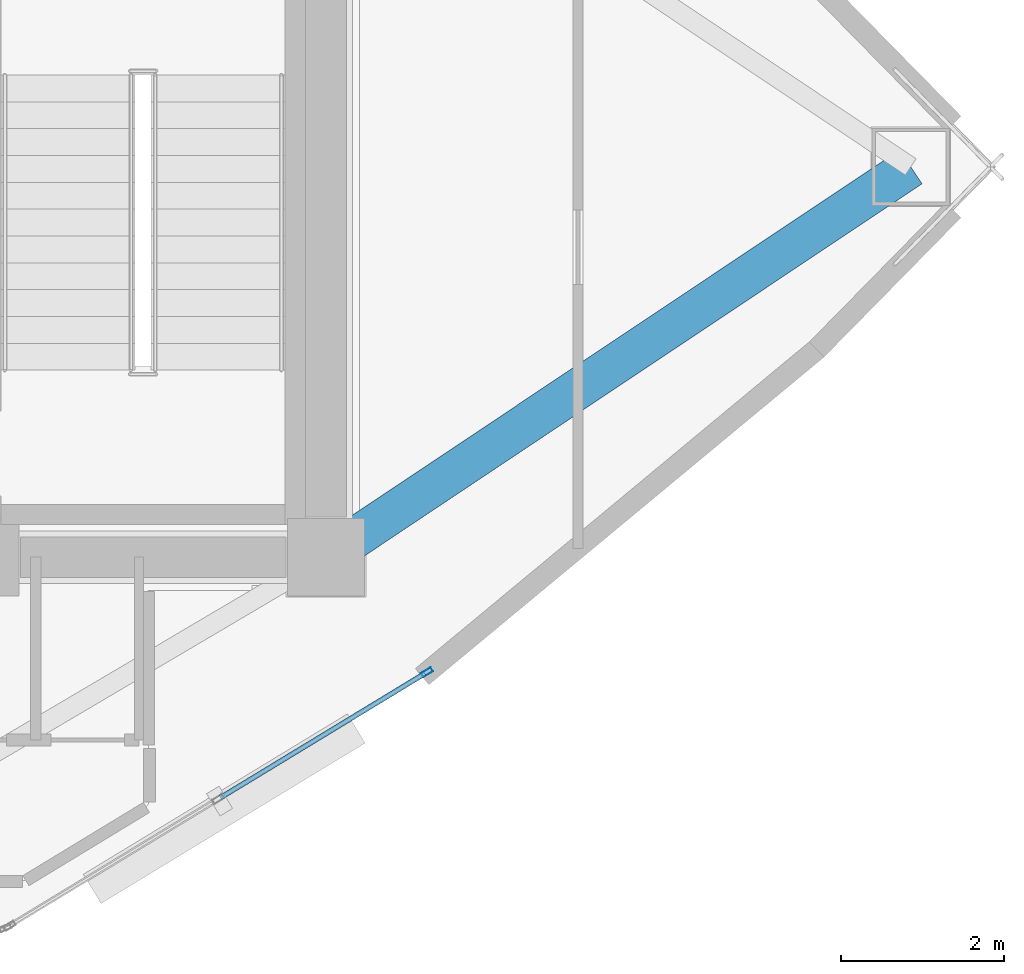
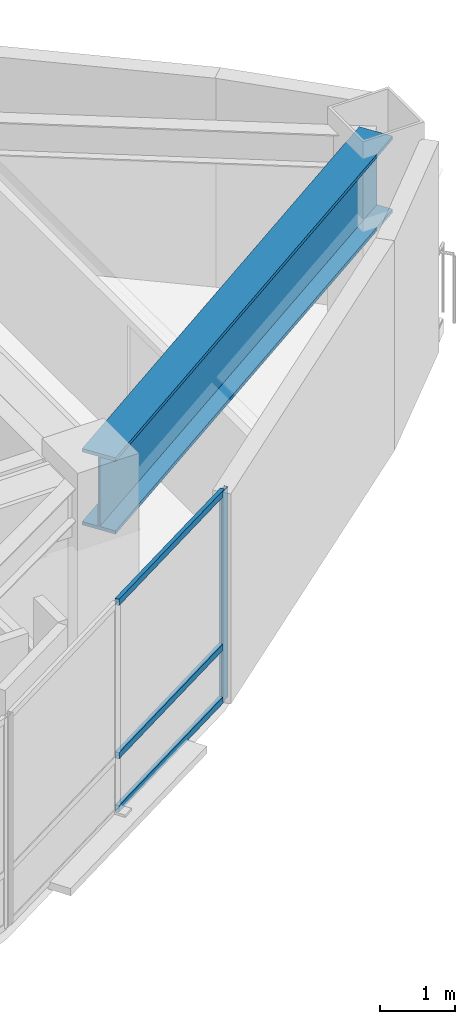
# One storey, part 8 of 14: 4 members, 1 beam, 1 element without a shape of its own.
"""IFC4 building model written with IfcOpenShell, lengths in metres."""

from ifc_helpers import new_model, si_unit, direction, frame, origin, origin_2d, place, context, subcontext, project, spatial, hollow_rectangle, i_section, extrude, material, layer, layer_set, material_profile, profile_set, type_object, element, aggregate, save


model = new_model("IFC4")

# Units and contexts
model_context = context("Model", 3, precision=1e-05, world=origin(), true_north=direction((0.0, 1.0)))
body_context = subcontext(model_context, "Body", "Model", "MODEL_VIEW")
ifc_project = project(units=[si_unit("LENGTHUNIT", "METRE"), si_unit("AREAUNIT", "SQUARE_METRE"), si_unit("VOLUMEUNIT", "CUBIC_METRE"), si_unit("PLANEANGLEUNIT", "RADIAN"), si_unit("MASSUNIT", "GRAM", prefix="KILO")], contexts=[model_context])

# Site, building, storey
site_placement = place(None, origin())
site = spatial("IfcSite", under=ifc_project, at=site_placement, CompositionType="ELEMENT")
building_placement = place(site_placement, origin())
building = spatial("IfcBuilding", under=site, at=building_placement, Name="Menara Vayukalpa", CompositionType="ELEMENT")
storey_placement = place(building_placement, frame((0.0, 0.0, 191.52001953125)))
storey = spatial("IfcBuildingStorey", under=building, at=storey_placement, Name="L48", CompositionType="ELEMENT", Elevation=191.52001953125)

# Beam
ifc_material_1 = material(Name="Steel S460", Category="steel")
ifc_material_profile_1 = material_profile(ifc_material_1, i_section(OverallWidth=0.5, OverallDepth=1.25, WebThickness=0.028076171875, FlangeThickness=0.054931640625, at=origin_2d()), Name="WG 1250x500x28x55")
ifc_profile_set_1 = profile_set([ifc_material_profile_1], Name="Steel S460")
beam_type = type_object("IfcBeamType", Name="BM-TG2", PredefinedType="BEAM", material=ifc_profile_set_1)
beam_placement = place(storey_placement, frame((33.60791015625, 17.3388671875, 2.81494140625), z_axis=(0.831719080732, 0.555196695547, 0.0), x_axis=(-0.555196695547, 0.831719080732, 0.0)))
element("IfcBeam", 1, at=beam_placement, inside=storey, type_object=beam_type, Name="L48 Primary Radial Girder RG01", PredefinedType="BEAM", context=body_context, shape_type="SweptSolid", body=[
    extrude(i_section(OverallWidth=0.5, OverallDepth=1.25, WebThickness=0.028076171875, FlangeThickness=0.054931640625, at=origin_2d()), origin(), (0.0, 0.0, 1.0), 8.3955078125),
])

# Curtain wall, members
ifc_material_2 = material(Name="Anodised Terracotta Aluminium Alloy 6063-T6", Category="masonry")
ifc_layer = layer(ifc_material_2, 0.139892578125)
ifc_layer_set = layer_set([ifc_layer], Name="Anodised Terracotta Aluminium Alloy 6063-T6")
curtain_wall_type = type_object("IfcCurtainWallType", Name="CW-CW5", PredefinedType="USERDEFINED", material=ifc_layer_set)
curtain_wall_placement = place(storey_placement, origin())
curtain_wall = element("IfcCurtainWall", 2, at=curtain_wall_placement, inside=storey, type_object=curtain_wall_type, Name="L48 High Rise Tapered Curtain Wall CW5 17", ObjectType="UNITISED", PredefinedType="USERDEFINED")
ifc_material_3 = material(Name="Anodised Terracotta Aluminium Alloy 6063-T6", Category="masonry")
ifc_material_profile_2 = material_profile(ifc_material_3, hollow_rectangle(XDim=0.06005859375, YDim=0.139892578125, WallThickness=0.00341796875, at=origin_2d()), Name="ALU 60x140x3.5")
ifc_profile_set_2 = profile_set([ifc_material_profile_2], Name="Anodised Terracotta Aluminium Alloy 6063-T6")
member_type_1 = type_object("IfcMemberType", Name="CWM-CW5", PredefinedType="MULLION", material=ifc_profile_set_2)
member_1_placement = place(storey_placement, frame((34.6416015625, 15.78515625, 0.0), z_axis=(0.0, 0.0, 1.0), x_axis=(-0.519179911779, 0.854664974832, 0.0)))
member_1 = element("IfcMember", 3, at=member_1_placement, type_object=member_type_1, Name="CW5 mullion 3", PredefinedType="MULLION", context=body_context, shape_type="SweptSolid", body=[
    extrude(hollow_rectangle(XDim=0.06005859375, YDim=0.139892578125, WallThickness=0.00341796875, at=origin_2d()), origin(), (0.0, 0.0, 1.0), 3.43994140625),
])
ifc_material_4 = material(Name="Anodised Terracotta Aluminium Alloy 6063-T6", Category="masonry")
ifc_material_profile_3 = material_profile(ifc_material_4, hollow_rectangle(XDim=0.06005859375, YDim=0.10498046875, WallThickness=0.0029296875, at=origin_2d()), Name="ALU 60x105x3")
ifc_profile_set_3 = profile_set([ifc_material_profile_3], Name="Anodised Terracotta Aluminium Alloy 6063-T6")
member_type_2 = type_object("IfcMemberType", Name="CWT-CW5", PredefinedType="USERDEFINED", material=ifc_profile_set_3)
member_2_placement = place(storey_placement, frame((32.10107421875, 14.241943359375, 0.030029296875), z_axis=(0.854683649113, 0.519149169255, 0.0), x_axis=(-0.519149169255, 0.854683649113, 0.0)))
member_2 = element("IfcMember", 4, at=member_2_placement, type_object=member_type_2, Name="CW5 transom 2.1", ObjectType="TRANSOM", PredefinedType="USERDEFINED", context=body_context, shape_type="SweptSolid", body=[
    extrude(hollow_rectangle(XDim=0.06005859375, YDim=0.10498046875, WallThickness=0.0029296875, at=origin_2d()), origin(), (0.0, 0.0, 1.0), 2.9423828125),
])
member_3_placement = place(storey_placement, frame((32.10107421875, 14.241943359375, 0.89990234375), z_axis=(0.854683649113, 0.519149169255, 0.0), x_axis=(-0.519149169255, 0.854683649113, 0.0)))
member_3 = element("IfcMember", 5, at=member_3_placement, type_object=member_type_2, Name="CW5 transom 2.2", ObjectType="TRANSOM", PredefinedType="USERDEFINED", context=body_context, shape_type="SweptSolid", body=[
    extrude(hollow_rectangle(XDim=0.06005859375, YDim=0.10498046875, WallThickness=0.0029296875, at=origin_2d()), origin(), (0.0, 0.0, 1.0), 2.9423828125),
])
member_4_placement = place(storey_placement, frame((32.10107421875, 14.241943359375, 3.409912109375), z_axis=(0.854683649113, 0.519149169255, 0.0), x_axis=(-0.519149169255, 0.854683649113, 0.0)))
member_4 = element("IfcMember", 6, at=member_4_placement, type_object=member_type_2, Name="CW5 transom 2.3", ObjectType="TRANSOM", PredefinedType="USERDEFINED", context=body_context, shape_type="SweptSolid", body=[
    extrude(hollow_rectangle(XDim=0.06005859375, YDim=0.10498046875, WallThickness=0.0029296875, at=origin_2d()), origin(), (0.0, 0.0, 1.0), 2.9423828125),
])
aggregate(curtain_wall, [member_1, member_2, member_3, member_4])

save(model, "model.ifc")
